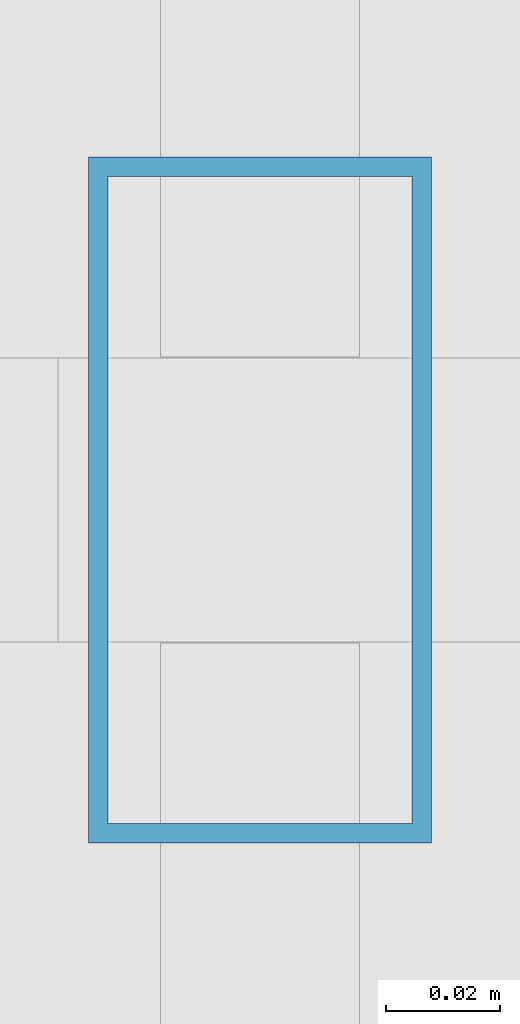
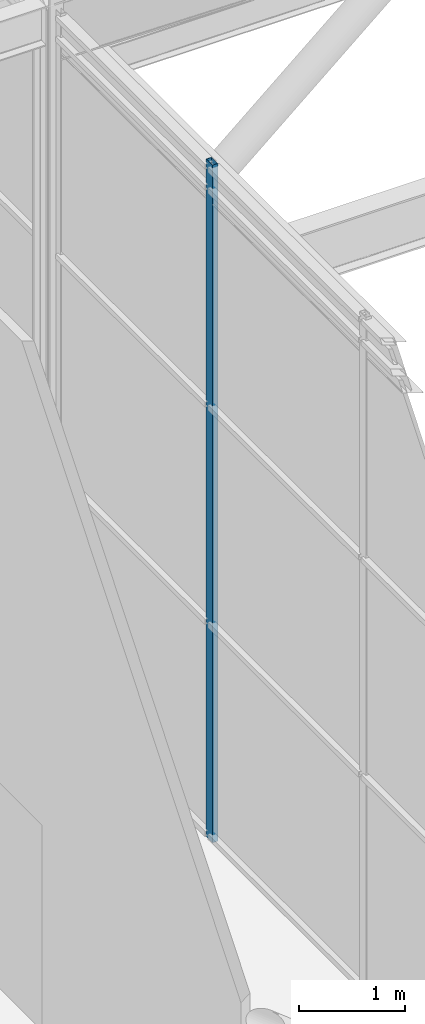
# One storey, part 23 of 144: 1 member, 1 element without a shape of its own.
"""IFC4 building model written with IfcOpenShell, lengths in metres."""

from ifc_helpers import new_model, si_unit, direction, frame, origin, origin_2d, place, context, subcontext, project, spatial, hollow_rectangle, extrude, material, layer, layer_set, material_profile, profile_set, type_object, element, aggregate, save


model = new_model("IFC4")

# Units and contexts
model_context = context("Model", 3, precision=1e-05, world=origin(), true_north=direction((0.0, 1.0)))
body_context = subcontext(model_context, "Body", "Model", "MODEL_VIEW")
ifc_project = project(units=[si_unit("LENGTHUNIT", "METRE"), si_unit("AREAUNIT", "SQUARE_METRE"), si_unit("VOLUMEUNIT", "CUBIC_METRE"), si_unit("PLANEANGLEUNIT", "RADIAN"), si_unit("MASSUNIT", "GRAM", prefix="KILO")], contexts=[model_context])

# Site, building, storey
site_placement = place(None, origin())
site = spatial("IfcSite", under=ifc_project, at=site_placement, CompositionType="ELEMENT")
building_placement = place(site_placement, origin())
building = spatial("IfcBuilding", under=site, at=building_placement, Name="Shorebreak Coast Museum", CompositionType="ELEMENT")
storey_placement = place(building_placement, frame((0.0, 0.0, 36.0)))
storey = spatial("IfcBuildingStorey", under=building, at=storey_placement, Name="L06", CompositionType="ELEMENT", Elevation=36.0)

# Curtain wall, member
ifc_material_1 = material(Name="Aluminium", Category="aluminium")
ifc_layer = layer(ifc_material_1, 0.1201171875)
ifc_layer_set = layer_set([ifc_layer], Name="Aluminium")
curtain_wall_type = type_object("IfcCurtainWallType", Name="Atrium fire screen", PredefinedType="NOTDEFINED", material=ifc_layer_set)
curtain_wall_placement = place(storey_placement, origin())
curtain_wall = element("IfcCurtainWall", 1, at=curtain_wall_placement, inside=storey, type_object=curtain_wall_type, Name="Atrium screen L06 W 89", PredefinedType="NOTDEFINED")
ifc_material_2 = material(Name="Aluminium", Category="aluminium")
ifc_material_profile = material_profile(ifc_material_2, hollow_rectangle(XDim=0.06005859375, YDim=0.1201171875, WallThickness=0.00341796875, at=origin_2d()), Name="AL 120x60 RHS")
ifc_profile_set = profile_set([ifc_material_profile], Name="Aluminium")
member_type = type_object("IfcMemberType", Name="Screen mullion 50 x 120", PredefinedType="MULLION", material=ifc_profile_set)
member_placement = place(storey_placement, frame((62.93994140625, 68.943359375, 0.0), z_axis=(0.0, 0.0, 1.0), x_axis=(-1.0, 0.0, 0.0)))
member = element("IfcMember", 2, at=member_placement, type_object=member_type, Name="CW6 mullion 3", PredefinedType="MULLION", context=body_context, shape_type="SweptSolid", body=[
    extrude(hollow_rectangle(XDim=0.06005859375, YDim=0.1201171875, WallThickness=0.00341796875, at=origin_2d()), origin(), (0.0, 0.0, 1.0), 7.800048828125),
])
aggregate(curtain_wall, [member])

save(model, "model.ifc")
